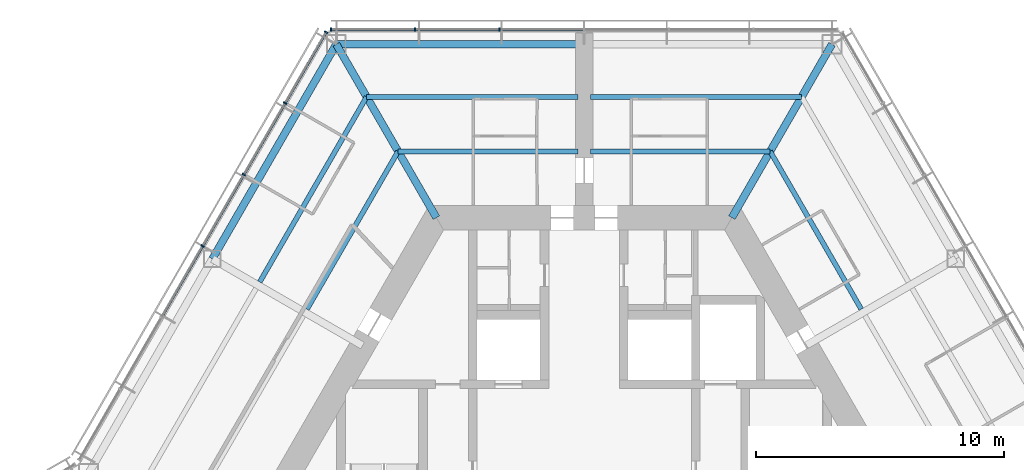
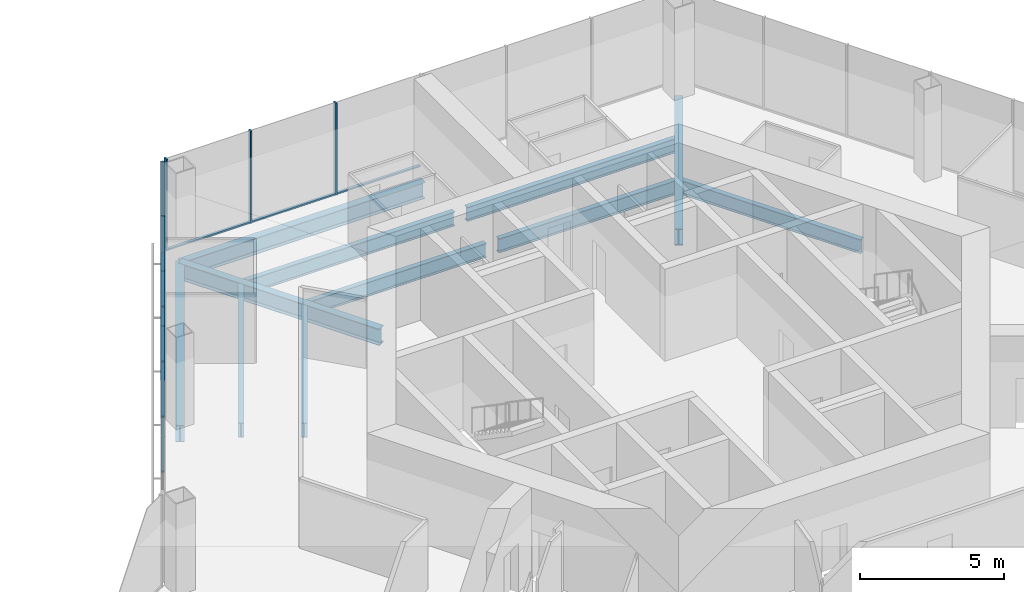
# One storey, part 7 of 18: 14 members, 11 beams, 2 elements without a shape of their own.
"""IFC4 building model written with IfcOpenShell, lengths in metres."""

from ifc_helpers import new_model, si_unit, direction, frame, origin, origin_2d, place, context, subcontext, project, spatial, rectangle, i_section, extrude, material, material_profile, profile_set, type_object, element, aggregate, save


model = new_model("IFC4")

# Units and contexts
model_context = context("Model", 3, precision=1e-05, world=origin(), true_north=direction((0.0, 1.0)))
body_context = subcontext(model_context, "Body", "Model", "MODEL_VIEW")
ifc_project = project(units=[si_unit("LENGTHUNIT", "METRE"), si_unit("AREAUNIT", "SQUARE_METRE"), si_unit("VOLUMEUNIT", "CUBIC_METRE"), si_unit("PLANEANGLEUNIT", "RADIAN"), si_unit("MASSUNIT", "GRAM", prefix="KILO")], contexts=[model_context])

# Site, building, storey
site_placement = place(None, origin())
site = spatial("IfcSite", under=ifc_project, at=site_placement, CompositionType="ELEMENT")
building_placement = place(site_placement, origin())
building = spatial("IfcBuilding", under=site, at=building_placement, Name="Kasaneha Research Tower", CompositionType="ELEMENT")
storey_placement = place(building_placement, frame((0.0, 0.0, 191.60009765625)))
storey = spatial("IfcBuildingStorey", under=building, at=storey_placement, Name="L48", CompositionType="ELEMENT", Elevation=191.60009765625)

# Beams
ifc_material_1 = material(Name="Steel SN490B", Category="steel")
ifc_material_profile_1 = material_profile(ifc_material_1, i_section(OverallWidth=0.199951171875, OverallDepth=0.60009765625, WebThickness=0.010986328125, FlangeThickness=0.01708984375, FilletRadius=0.012939453125, at=origin_2d()), Name="H-600x200x11x17")
ifc_profile_set_1 = profile_set([ifc_material_profile_1], Name="Steel SN490B")
beam_type_1 = type_object("IfcBeamType", Name="B1-3 secondary beam H-600x200x11x17", PredefinedType="JOIST", material=ifc_profile_set_1)
beam_1_placement = place(storey_placement, frame((7.505615234375, 13.0, -0.4501953125), z_axis=(0.499994443168, -0.866028611999, 0.0), x_axis=(0.866028611999, 0.499994443168, 0.0)))
element("IfcBeam", 1, at=beam_1_placement, inside=storey, type_object=beam_type_1, Name="Secondary beam RS030R1 L48", PredefinedType="JOIST", context=body_context, shape_type="SweptSolid", body=[
    extrude(i_section(OverallWidth=0.199951171875, OverallDepth=0.60009765625, WebThickness=0.010986328125, FlangeThickness=0.01708984375, FilletRadius=0.012939453125, at=origin_2d()), origin(), (0.0, 0.0, 1.0), 7.35546875),
])
beam_2_placement = place(storey_placement, frame((7.505615234375, 13.0, -0.4501953125), z_axis=(-1.0, 0.0, 0.0), x_axis=(0.0, -1.0, 0.0)))
element("IfcBeam", 2, at=beam_2_placement, inside=storey, type_object=beam_type_1, Name="Secondary beam RS090L1 L48", PredefinedType="JOIST", context=body_context, shape_type="SweptSolid", body=[
    extrude(i_section(OverallWidth=0.199951171875, OverallDepth=0.60009765625, WebThickness=0.010986328125, FlangeThickness=0.01708984375, FilletRadius=0.012939453125, at=origin_2d()), origin(), (0.0, 0.0, 1.0), 7.255615234375),
])
beam_3_placement = place(storey_placement, frame((8.775634765625, 15.199951171875, -0.4501953125), z_axis=(-1.0, 0.0, 0.0), x_axis=(0.0, -1.0, 0.0)))
element("IfcBeam", 3, at=beam_3_placement, inside=storey, type_object=beam_type_1, Name="Secondary beam RS090L2 L48", PredefinedType="JOIST", context=body_context, shape_type="SweptSolid", body=[
    extrude(i_section(OverallWidth=0.199951171875, OverallDepth=0.60009765625, WebThickness=0.010986328125, FlangeThickness=0.01708984375, FilletRadius=0.012939453125, at=origin_2d()), origin(), (0.0, 0.0, 1.0), 8.525634765625),
])
beam_4_placement = place(storey_placement, frame((-7.505615234375, 13.0, -0.4501953125), z_axis=(1.0, 0.0, 0.0), x_axis=(0.0, 1.0, 0.0)))
element("IfcBeam", 4, at=beam_4_placement, inside=storey, type_object=beam_type_1, Name="Secondary beam RS090R1 L48", PredefinedType="JOIST", context=body_context, shape_type="SweptSolid", body=[
    extrude(i_section(OverallWidth=0.199951171875, OverallDepth=0.60009765625, WebThickness=0.010986328125, FlangeThickness=0.01708984375, FilletRadius=0.012939453125, at=origin_2d()), origin(), (0.0, 0.0, 1.0), 7.255615234375),
])
beam_5_placement = place(storey_placement, frame((-8.775634765625, 15.199951171875, -0.4501953125), z_axis=(1.0, 0.0, 0.0), x_axis=(0.0, 1.0, 0.0)))
element("IfcBeam", 5, at=beam_5_placement, inside=storey, type_object=beam_type_1, Name="Secondary beam RS090R2 L48", PredefinedType="JOIST", context=body_context, shape_type="SweptSolid", body=[
    extrude(i_section(OverallWidth=0.199951171875, OverallDepth=0.60009765625, WebThickness=0.010986328125, FlangeThickness=0.01708984375, FilletRadius=0.012939453125, at=origin_2d()), origin(), (0.0, 0.0, 1.0), 8.525634765625),
])
beam_6_placement = place(storey_placement, frame((-7.505615234375, 13.0, -0.4501953125), z_axis=(-0.499994443168, -0.866028611999, 0.0), x_axis=(0.866028611999, -0.499994443168, 0.0)))
element("IfcBeam", 6, at=beam_6_placement, inside=storey, type_object=beam_type_1, Name="Secondary beam RS150L1 L48", PredefinedType="JOIST", context=body_context, shape_type="SweptSolid", body=[
    extrude(i_section(OverallWidth=0.199951171875, OverallDepth=0.60009765625, WebThickness=0.010986328125, FlangeThickness=0.01708984375, FilletRadius=0.012939453125, at=origin_2d()), origin(), (0.0, 0.0, 1.0), 7.35546875),
])
beam_7_placement = place(storey_placement, frame((-8.775634765625, 15.199951171875, -0.4501953125), z_axis=(-0.500017275495, -0.866015429543, 0.0), x_axis=(0.866015429543, -0.500017275495, 0.0)))
element("IfcBeam", 7, at=beam_7_placement, inside=storey, type_object=beam_type_1, Name="Secondary beam RS150L2 L48", PredefinedType="JOIST", context=body_context, shape_type="SweptSolid", body=[
    extrude(i_section(OverallWidth=0.199951171875, OverallDepth=0.60009765625, WebThickness=0.010986328125, FlangeThickness=0.01708984375, FilletRadius=0.012939453125, at=origin_2d()), origin(), (0.0, 0.0, 1.0), 8.625732421875),
])

# Curtain wall, members
ifc_material_2 = material(Name="Glass and aluminium", Category="aluminium")
curtain_wall_type = type_object("IfcCurtainWallType", Name="Mid-rise office curtain wall", PredefinedType="USERDEFINED", material=ifc_material_2)
curtain_wall_1_placement = place(storey_placement, origin())
curtain_wall_1 = element("IfcCurtainWall", 8, at=curtain_wall_1_placement, inside=storey, type_object=curtain_wall_type, Name="CW-O2 L48 run 07a", ObjectType="UNITISED CURTAIN WALL", PredefinedType="USERDEFINED")
ifc_material_3 = material(Name="Aluminium 6063-T6", Category="aluminium")
ifc_material_profile_2 = material_profile(ifc_material_3, rectangle(XDim=0.06005859375, YDim=0.14990234375, at=origin_2d()), Name="CW-O2 mullion 60x150")
ifc_profile_set_2 = profile_set([ifc_material_profile_2], Name="Aluminium 6063-T6")
member_type_1 = type_object("IfcMemberType", Name="CW-O2 mullion", PredefinedType="MULLION", material=ifc_profile_set_2)
member_1_placement = place(storey_placement, frame((-3.41552734375, 17.92041015625, 0.0), z_axis=(0.0, 0.0, 1.0), x_axis=(-1.0, 0.0, 0.0)))
member_1 = element("IfcMember", 9, at=member_1_placement, type_object=member_type_1, Name="CW-O2 mullion 5", PredefinedType="MULLION", context=body_context, shape_type="SweptSolid", body=[
    extrude(rectangle(XDim=0.06005859375, YDim=0.14990234375, at=origin_2d()), origin(), (0.0, 0.0, 1.0), 3.89990234375),
])
member_2_placement = place(storey_placement, frame((-6.8310546875, 17.92041015625, 0.0), z_axis=(0.0, 0.0, 1.0), x_axis=(-1.0, 0.0, 0.0)))
member_2 = element("IfcMember", 10, at=member_2_placement, type_object=member_type_1, Name="CW-O2 mullion 6", PredefinedType="MULLION", context=body_context, shape_type="SweptSolid", body=[
    extrude(rectangle(XDim=0.06005859375, YDim=0.14990234375, at=origin_2d()), origin(), (0.0, 0.0, 1.0), 3.89990234375),
])
member_3_placement = place(storey_placement, frame((-10.21630859375, 17.92041015625, 0.0), z_axis=(0.0, 0.0, 1.0), x_axis=(-1.0, 0.0, 0.0)))
member_3 = element("IfcMember", 11, at=member_3_placement, type_object=member_type_1, Name="CW-O2 mullion 7", PredefinedType="MULLION", context=body_context, shape_type="SweptSolid", body=[
    extrude(rectangle(XDim=0.06005859375, YDim=0.14990234375, at=origin_2d()), origin(), (0.0, 0.0, 1.0), 3.89990234375),
])

curtain_wall_2_placement = place(storey_placement, origin())
curtain_wall_2 = element("IfcCurtainWall", 12, at=curtain_wall_2_placement, inside=storey, type_object=curtain_wall_type, Name="CW-O2 L48 run 08a", ObjectType="UNITISED CURTAIN WALL", PredefinedType="USERDEFINED")
member_4_placement = place(storey_placement, frame((-10.411376953125, 17.807861328125, 0.0), z_axis=(0.0, 0.0, 1.0), x_axis=(-0.499999979232, -0.866025415775, 0.0)))
member_4 = element("IfcMember", 13, at=member_4_placement, type_object=member_type_1, Name="CW-O2 mullion 1", PredefinedType="MULLION", context=body_context, shape_type="SweptSolid", body=[
    extrude(rectangle(XDim=0.06005859375, YDim=0.14990234375, at=origin_2d()), origin(), (0.0, 0.0, 1.0), 3.89990234375),
])
member_5_placement = place(storey_placement, frame((-12.061767578125, 14.94921875, 0.0), z_axis=(0.0, 0.0, 1.0), x_axis=(-0.499999979232, -0.866025415775, 0.0)))
member_5 = element("IfcMember", 14, at=member_5_placement, type_object=member_type_1, Name="CW-O2 mullion 2", PredefinedType="MULLION", context=body_context, shape_type="SweptSolid", body=[
    extrude(rectangle(XDim=0.06005859375, YDim=0.14990234375, at=origin_2d()), origin(), (0.0, 0.0, 1.0), 3.89990234375),
])
member_6_placement = place(storey_placement, frame((-13.727294921875, 12.064453125, 0.0), z_axis=(0.0, 0.0, 1.0), x_axis=(-0.499999979232, -0.866025415775, 0.0)))
member_6 = element("IfcMember", 15, at=member_6_placement, type_object=member_type_1, Name="CW-O2 mullion 3", PredefinedType="MULLION", context=body_context, shape_type="SweptSolid", body=[
    extrude(rectangle(XDim=0.06005859375, YDim=0.14990234375, at=origin_2d()), origin(), (0.0, 0.0, 1.0), 3.89990234375),
])
member_7_placement = place(storey_placement, frame((-15.392822265625, 9.179931640625, 0.0), z_axis=(0.0, 0.0, 1.0), x_axis=(-0.499999979232, -0.866025415775, 0.0)))
member_7 = element("IfcMember", 16, at=member_7_placement, type_object=member_type_1, Name="CW-O2 mullion 4", PredefinedType="MULLION", context=body_context, shape_type="SweptSolid", body=[
    extrude(rectangle(XDim=0.06005859375, YDim=0.14990234375, at=origin_2d()), origin(), (0.0, 0.0, 1.0), 3.89990234375),
])

# Member
ifc_material_4 = material(Name="Aluminium 6063-T6", Category="aluminium")
ifc_material_profile_3 = material_profile(ifc_material_4, rectangle(XDim=0.110107421875, YDim=0.06005859375, at=origin_2d()), Name="CW-O2 transom 110x60")
ifc_profile_set_3 = profile_set([ifc_material_profile_3], Name="Aluminium 6063-T6")
member_type_2 = type_object("IfcMemberType", Name="CW-O2 transom", PredefinedType="USERDEFINED", material=ifc_profile_set_3)
member_8_placement = place(storey_placement, frame((-0.030029296875, 17.92041015625, 0.02978515625), z_axis=(-1.0, 0.0, 0.0), x_axis=(0.0, -1.0, 0.0)))
member_8 = element("IfcMember", 17, at=member_8_placement, type_object=member_type_2, Name="CW-O2 transom 4", ObjectType="TRANSOM", PredefinedType="USERDEFINED", context=body_context, shape_type="SweptSolid", body=[
    extrude(rectangle(XDim=0.110107421875, YDim=0.06005859375, at=origin_2d()), origin(), (0.0, 0.0, 1.0), 3.35546875),
])

member_9_placement = place(storey_placement, frame((-3.445556640625, 17.92041015625, 0.02978515625), z_axis=(-1.0, 0.0, 0.0), x_axis=(0.0, -1.0, 0.0)))
member_9 = element("IfcMember", 18, at=member_9_placement, type_object=member_type_2, Name="CW-O2 transom 5", ObjectType="TRANSOM", PredefinedType="USERDEFINED", context=body_context, shape_type="SweptSolid", body=[
    extrude(rectangle(XDim=0.110107421875, YDim=0.06005859375, at=origin_2d()), origin(), (0.0, 0.0, 1.0), 3.35546875),
])

member_10_placement = place(storey_placement, frame((-6.86083984375, 17.92041015625, 0.02978515625), z_axis=(-1.0, 0.0, 0.0), x_axis=(0.0, -1.0, 0.0)))
member_10 = element("IfcMember", 19, at=member_10_placement, type_object=member_type_2, Name="CW-O2 transom 6", ObjectType="TRANSOM", PredefinedType="USERDEFINED", context=body_context, shape_type="SweptSolid", body=[
    extrude(rectangle(XDim=0.110107421875, YDim=0.06005859375, at=origin_2d()), origin(), (0.0, 0.0, 1.0), 3.32568359375),
])

aggregate(curtain_wall_1, [member_1, member_2, member_3, member_8, member_9, member_10])

member_11_placement = place(storey_placement, frame((-10.426513671875, 17.781982421875, 0.02978515625), z_axis=(-0.499955025697, -0.866051368154, 0.0), x_axis=(0.866051368154, -0.499955025697, 0.0)))
member_11 = element("IfcMember", 20, at=member_11_placement, type_object=member_type_2, Name="CW-O2 transom 1", ObjectType="TRANSOM", PredefinedType="USERDEFINED", context=body_context, shape_type="SweptSolid", body=[
    extrude(rectangle(XDim=0.110107421875, YDim=0.06005859375, at=origin_2d()), origin(), (0.0, 0.0, 1.0), 3.240966796875),
])

member_12_placement = place(storey_placement, frame((-12.076904296875, 14.92333984375, 0.02978515625), z_axis=(-0.500000270186, -0.866025247793, 0.0), x_axis=(0.866025247793, -0.500000270186, 0.0)))
member_12 = element("IfcMember", 21, at=member_12_placement, type_object=member_type_2, Name="CW-O2 transom 2", ObjectType="TRANSOM", PredefinedType="USERDEFINED", context=body_context, shape_type="SweptSolid", body=[
    extrude(rectangle(XDim=0.110107421875, YDim=0.06005859375, at=origin_2d()), origin(), (0.0, 0.0, 1.0), 3.27099609375),
])

member_13_placement = place(storey_placement, frame((-13.742431640625, 12.03857421875, 0.02978515625), z_axis=(-0.500000270186, -0.866025247793, 0.0), x_axis=(0.866025247793, -0.500000270186, 0.0)))
member_13 = element("IfcMember", 22, at=member_13_placement, type_object=member_type_2, Name="CW-O2 transom 3", ObjectType="TRANSOM", PredefinedType="USERDEFINED", context=body_context, shape_type="SweptSolid", body=[
    extrude(rectangle(XDim=0.110107421875, YDim=0.06005859375, at=origin_2d()), origin(), (0.0, 0.0, 1.0), 3.27099609375),
])

member_14_placement = place(storey_placement, frame((-15.40771484375, 9.15380859375, 0.02978515625), z_axis=(-0.50003259116, -0.866006586452, 0.0), x_axis=(0.866006586452, -0.50003259116, 0.0)))
member_14 = element("IfcMember", 23, at=member_14_placement, type_object=member_type_2, Name="CW-O2 transom 4", ObjectType="TRANSOM", PredefinedType="USERDEFINED", context=body_context, shape_type="SweptSolid", body=[
    extrude(rectangle(XDim=0.110107421875, YDim=0.06005859375, at=origin_2d()), origin(), (0.0, 0.0, 1.0), 3.270751953125),
])

aggregate(curtain_wall_2, [member_4, member_5, member_6, member_7, member_11, member_12, member_13, member_14])

# Beams
ifc_material_5 = material(Name="Steel SN490B", Category="steel")
ifc_material_profile_4 = material_profile(ifc_material_5, i_section(OverallWidth=0.300048828125, OverallDepth=0.699951171875, WebThickness=0.012939453125, FlangeThickness=0.02392578125, FilletRadius=0.01806640625, at=origin_2d()), Name="H-700x300x13x24")
ifc_profile_set_4 = profile_set([ifc_material_profile_4], Name="Steel SN490B")
beam_type_2 = type_object("IfcBeamType", Name="G1-3 radial girder H-700x300x13x24", PredefinedType="BEAM", material=ifc_profile_set_4)
for number, where, z_axis, x_axis, name in (
    (24, (5.961181640625, 10.324951171875, -0.5), (0.49999105496, 0.866030568144, 0.0), (-0.866030568144, 0.49999105496, 0.0), "Radial girder RV060 L48"),
    (25, (-5.961181640625, 10.324951171875, -0.5), (-0.49999105496, 0.866030568144, 0.0), (-0.866030568144, -0.49999105496, 0.0), "Radial girder RV120 L48"),
):
    element("IfcBeam", number, at=place(storey_placement, frame(where, z_axis=z_axis, x_axis=x_axis)), inside=storey, type_object=beam_type_2, Name=name, PredefinedType="BEAM", context=body_context, shape_type="SweptSolid", body=[
        extrude(i_section(OverallWidth=0.300048828125, OverallDepth=0.699951171875, WebThickness=0.012939453125, FlangeThickness=0.02392578125, FilletRadius=0.01806640625, at=origin_2d()), origin(), (0.0, 0.0, 1.0), 8.077880859375),
    ])
ifc_material_6 = material(Name="Steel SN490B", Category="steel")
ifc_material_profile_5 = material_profile(ifc_material_6, i_section(OverallWidth=0.300048828125, OverallDepth=0.69189453125, WebThickness=0.012939453125, FlangeThickness=0.02001953125, FilletRadius=0.01806640625, at=origin_2d()), Name="H-692x300x13x20")
ifc_profile_set_5 = profile_set([ifc_material_profile_5], Name="Steel SN490B")
beam_type_3 = type_object("IfcBeamType", Name="G3-3 plate edge girder H-692x300x13x20", PredefinedType="BEAM", material=ifc_profile_set_5)
beam_8_placement = place(storey_placement, frame((-10.0, 17.320556640625, -0.49609375), z_axis=(1.0, 0.0, 0.0), x_axis=(0.0, 1.0, 0.0)))
element("IfcBeam", 26, at=beam_8_placement, inside=storey, type_object=beam_type_3, Name="Plate edge girder PEAN L48", PredefinedType="BEAM", context=body_context, shape_type="SweptSolid", body=[
    extrude(i_section(OverallWidth=0.300048828125, OverallDepth=0.69189453125, WebThickness=0.012939453125, FlangeThickness=0.02001953125, FilletRadius=0.01806640625, at=origin_2d()), origin(), (0.0, 0.0, 1.0), 9.75),
])
ifc_material_7 = material(Name="Steel SN490B", Category="steel")
ifc_material_profile_6 = material_profile(ifc_material_7, i_section(OverallWidth=0.300048828125, OverallDepth=0.69189453125, WebThickness=0.012939453125, FlangeThickness=0.02001953125, FilletRadius=0.01806640625, at=origin_2d()), Name="H-692x300x13x20")
ifc_profile_set_6 = profile_set([ifc_material_profile_6], Name="Steel SN490B")
beam_type_4 = type_object("IfcBeamType", Name="SB1-3 spandrel beam H-692x300x13x20", PredefinedType="SPANDREL", material=ifc_profile_set_6)
beam_9_placement = place(storey_placement, frame((-10.0, 17.320556640625, -0.49609375), z_axis=(-0.499993662806, -0.866029062534, 0.0), x_axis=(0.866029062534, -0.499993662806, 0.0)))
element("IfcBeam", 27, at=beam_9_placement, inside=storey, type_object=beam_type_4, Name="Spandrel beam SR150L L48", PredefinedType="SPANDREL", context=body_context, shape_type="SweptSolid", body=[
    extrude(i_section(OverallWidth=0.300048828125, OverallDepth=0.69189453125, WebThickness=0.012939453125, FlangeThickness=0.02001953125, FilletRadius=0.01806640625, at=origin_2d()), origin(), (0.0, 0.0, 1.0), 10.000244140625),
])

save(model, "model.ifc")
